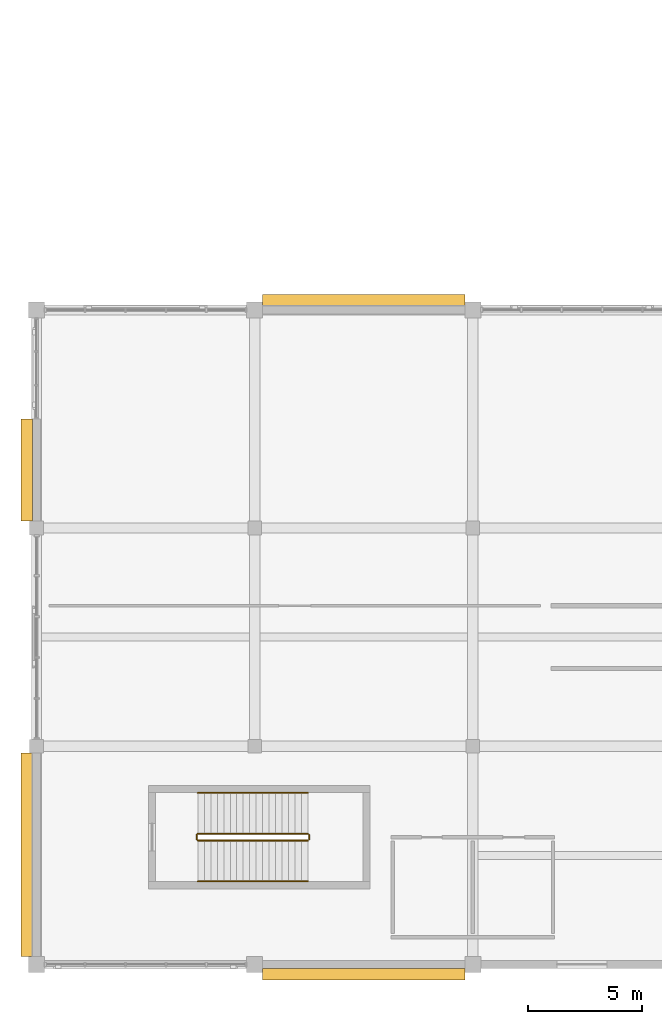
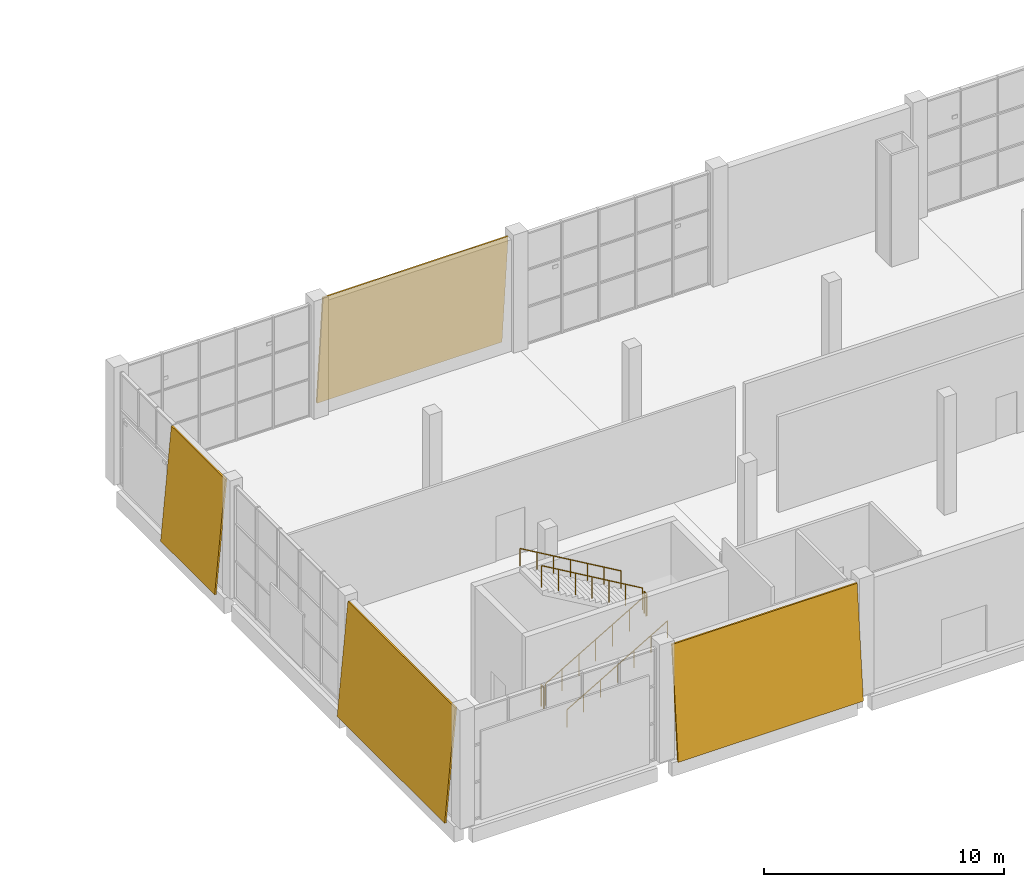
# One storey, part 69 of 84: 6 railings, 4 coverings.
"""IFC4 building model written with IfcOpenShell, lengths in metres."""

from ifc_helpers import new_model, si_unit, direction, frame, origin, origin_2d, place, context, subcontext, project, spatial, polyline, circle, outline, extrude, material, layer, layer_set, type_object, element, save


model = new_model("IFC4")

# Units and contexts
model_context = context("Model", 3, precision=1e-05, world=origin(), true_north=direction((0.0, 1.0)))
body_context = subcontext(model_context, "Body", "Model", "MODEL_VIEW")
ifc_project = project(units=[si_unit("LENGTHUNIT", "METRE"), si_unit("AREAUNIT", "SQUARE_METRE"), si_unit("VOLUMEUNIT", "CUBIC_METRE"), si_unit("PLANEANGLEUNIT", "RADIAN"), si_unit("MASSUNIT", "GRAM", prefix="KILO")], contexts=[model_context])

# Site, building, storey
site_placement = place(None, origin())
site = spatial("IfcSite", under=ifc_project, at=site_placement, CompositionType="ELEMENT")
building_placement = place(site_placement, origin())
building = spatial("IfcBuilding", under=site, at=building_placement, Name="Shalvenor Court Art Gallery", CompositionType="ELEMENT")
storey_placement = place(building_placement, origin())
storey = spatial("IfcBuildingStorey", under=building, at=storey_placement, Name="L00", CompositionType="ELEMENT", Elevation=0.0)

# Coverings
ifc_material_1 = material(Name="Honed Jerusalem limestone cladding", Category="masonry")
ifc_layer = layer(ifc_material_1, 0.06494140625, Name="Honed Jerusalem limestone cladding")
ifc_layer_set = layer_set([ifc_layer], Name="Honed Jerusalem limestone cladding")
covering_type = type_object("IfcCoveringType", Name="CLD-02", PredefinedType="CLADDING", material=ifc_layer_set)
for number, where, z_axis, x_axis, name in (
    (1, (18.85009765625, 29.48681640625, 0.0), (0.0, 0.0, 1.0), (-1.0, 0.0, 0.0), "L00 V4 Tapered Limestone Cladding 62"),
    (2, (9.949951171875, -0.68701171875, 0.0), (0.0, 0.0, 1.0), (1.0, 0.0, 0.0), "L00 V4 Tapered Limestone Cladding 68"),
):
    element("IfcCovering", number, at=place(storey_placement, frame(where, z_axis=z_axis, x_axis=x_axis)), inside=storey, type_object=covering_type, Name=name, PredefinedType="CLADDING", context=body_context, shape_type="SweptSolid", body=[
        extrude(outline(polyline([(0.0, 0.0), (8.900146484375, 0.0), (8.900146484375, 5.703369140625), (0.0, 5.703369140625), (0.0, 0.0)])), frame((0.0, 0.0, 0.0), z_axis=(0.0, -0.995884398616, 0.090632580198), x_axis=(1.0, 0.0, 0.0)), (0.0, 0.090632580198, -0.995884398616), 0.080322265625),
    ])
covering_1_placement = place(storey_placement, frame((-0.68701171875, 9.300048828125, 0.0), z_axis=(0.0, 0.0, 1.0), x_axis=(0.0, -1.0, 0.0)))
element("IfcCovering", 3, at=covering_1_placement, inside=storey, type_object=covering_type, Name="L00 V4 Tapered Limestone Cladding 69", PredefinedType="CLADDING", context=body_context, shape_type="SweptSolid", body=[
    extrude(outline(polyline([(0.0, 0.0), (8.949951171875, 0.0), (8.949951171875, 5.703369140625), (0.0, 5.703369140625), (0.0, 0.0)])), frame((0.0, 0.0, 0.0), z_axis=(0.0, -0.995884398616, 0.090632580198), x_axis=(1.0, 0.0, 0.0)), (0.0, 0.090632580198, -0.995884398616), 0.080322265625),
])
covering_2_placement = place(storey_placement, frame((-0.68701171875, 24.0, 0.0), z_axis=(0.0, 0.0, 1.0), x_axis=(0.0, -1.0, 0.0)))
element("IfcCovering", 4, at=covering_2_placement, inside=storey, type_object=covering_type, Name="L00 V4 Tapered Limestone Cladding 70", PredefinedType="CLADDING", context=body_context, shape_type="SweptSolid", body=[
    extrude(outline(polyline([(0.0, 0.0), (4.5, 0.0), (4.5, 5.703369140625), (0.0, 5.703369140625), (0.0, 0.0)])), frame((0.0, 0.0, 0.0), z_axis=(0.0, -0.995884398616, 0.090632580198), x_axis=(1.0, 0.0, 0.0)), (0.0, 0.090632580198, -0.995884398616), 0.080322265625),
])

# Railings
ifc_material_2 = material(Name="Painted steel post-and-rail guard", Category="steel")
railing_type_1 = type_object("IfcRailingType", Name="GR-02", PredefinedType="GUARDRAIL", material=ifc_material_2)
railing_1_placement = place(storey_placement, frame((7.10009765625, 5.449951171875, 0.166748046875)))
element("IfcRailing", 5, at=railing_1_placement, inside=storey, type_object=railing_type_1, Name="L00 ST-07 Stair Guard 1", PredefinedType="GUARDRAIL", context=body_context, shape_type="SweptSolid", body=[
    extrude(circle(Radius=0.02392578125, at=origin_2d()), frame((0.0, 0.0, 1.09619140625), z_axis=(0.863234098208, 0.0, 0.504803815052), x_axis=(0.0, 1.0, 0.0)), (0.0, 0.0, 1.0), 5.612548828125),
    extrude(circle(Radius=0.02099609375, at=origin_2d()), origin(), (0.0, 0.0, 1.0), 1.072021484375),
    extrude(circle(Radius=0.02099609375, at=origin_2d()), frame((0.8076171875, 0.0, 0.47216796875)), (0.0, 0.0, 1.0), 1.072021484375),
    extrude(circle(Radius=0.02099609375, at=origin_2d()), frame((1.614990234375, 0.0, 0.9443359375)), (0.0, 0.0, 1.0), 1.072021484375),
    extrude(circle(Radius=0.02099609375, at=origin_2d()), frame((2.42236328125, 0.0, 1.41650390625)), (0.0, 0.0, 1.0), 1.072021484375),
    extrude(circle(Radius=0.02099609375, at=origin_2d()), frame((3.22998046875, 0.0, 1.888916015625)), (0.0, 0.0, 1.0), 1.072021484375),
    extrude(circle(Radius=0.02099609375, at=origin_2d()), frame((4.03759765625, 0.0, 2.361083984375)), (0.0, 0.0, 1.0), 1.072021484375),
    extrude(circle(Radius=0.02099609375, at=origin_2d()), frame((4.844970703125, 0.0, 2.833251953125)), (0.0, 0.0, 1.0), 1.072021484375),
])
railing_2_placement = place(storey_placement, frame((11.9951171875, 5.5, 3.0)))
element("IfcRailing", 6, at=railing_2_placement, inside=storey, type_object=railing_type_1, Name="L00 ST-07 Stair Guard 2", PredefinedType="GUARDRAIL", context=body_context, shape_type="SweptSolid", body=[
    extrude(circle(Radius=0.02392578125, at=origin_2d()), frame((0.0, 0.0, 1.09619140625), z_axis=(0.0, 1.0, 0.0), x_axis=(-1.0, 0.0, 0.0)), (0.0, 0.0, 1.0), 0.199951171875),
    extrude(circle(Radius=0.02099609375, at=origin_2d()), origin(), (0.0, 0.0, 1.0), 1.072021484375),
    extrude(circle(Radius=0.02099609375, at=origin_2d()), frame((0.0, 0.199951171875, 0.0)), (0.0, 0.0, 1.0), 1.072021484375),
])
railing_3_placement = place(storey_placement, frame((11.945068359375, 5.75, 3.166748046875)))
element("IfcRailing", 7, at=railing_3_placement, inside=storey, type_object=railing_type_1, Name="L00 ST-07 Stair Guard 3", PredefinedType="GUARDRAIL", context=body_context, shape_type="SweptSolid", body=[
    extrude(circle(Radius=0.02392578125, at=origin_2d()), frame((0.0, 0.0, 1.09619140625), z_axis=(-0.863234098208, 0.0, 0.504803815052), x_axis=(0.0, -1.0, 0.0)), (0.0, 0.0, 1.0), 5.612548828125),
    extrude(circle(Radius=0.02099609375, at=origin_2d()), origin(), (0.0, 0.0, 1.0), 1.072021484375),
    extrude(circle(Radius=0.02099609375, at=origin_2d()), frame((-0.8076171875, 0.0, 0.47216796875)), (0.0, 0.0, 1.0), 1.072021484375),
    extrude(circle(Radius=0.02099609375, at=origin_2d()), frame((-1.614990234375, 0.0, 0.9443359375)), (0.0, 0.0, 1.0), 1.072021484375),
    extrude(circle(Radius=0.02099609375, at=origin_2d()), frame((-2.42236328125, 0.0, 1.41650390625)), (0.0, 0.0, 1.0), 1.072021484375),
    extrude(circle(Radius=0.02099609375, at=origin_2d()), frame((-3.22998046875, 0.0, 1.888916015625)), (0.0, 0.0, 1.0), 1.072021484375),
    extrude(circle(Radius=0.02099609375, at=origin_2d()), frame((-4.03759765625, 0.0, 2.361083984375)), (0.0, 0.0, 1.0), 1.072021484375),
    extrude(circle(Radius=0.02099609375, at=origin_2d()), frame((-4.844970703125, 0.0, 2.833251953125)), (0.0, 0.0, 1.0), 1.072021484375),
])
railing_4_placement = place(storey_placement, frame((7.050048828125, 5.5, 0.0)))
element("IfcRailing", 8, at=railing_4_placement, inside=storey, type_object=railing_type_1, Name="L00 ST-07 Stair Guard 4", PredefinedType="GUARDRAIL", context=body_context, shape_type="SweptSolid", body=[
    extrude(circle(Radius=0.02392578125, at=origin_2d()), frame((0.0, 0.0, 1.09619140625), z_axis=(0.0, 1.0, 0.0), x_axis=(-1.0, 0.0, 0.0)), (0.0, 0.0, 1.0), 0.199951171875),
    extrude(circle(Radius=0.02099609375, at=origin_2d()), origin(), (0.0, 0.0, 1.0), 1.072021484375),
    extrude(circle(Radius=0.02099609375, at=origin_2d()), frame((0.0, 0.199951171875, 0.0)), (0.0, 0.0, 1.0), 1.072021484375),
])
ifc_material_3 = material(Name="Brushed stainless steel handrail", Category="steel")
railing_type_2 = type_object("IfcRailingType", Name="HR-01", PredefinedType="HANDRAIL", material=ifc_material_3)
railing_5_placement = place(storey_placement, frame((7.10009765625, 3.64990234375, 0.166748046875)))
element("IfcRailing", 9, at=railing_5_placement, inside=storey, type_object=railing_type_2, Name="L00 ST-07 Stair Handrail 1", PredefinedType="HANDRAIL", context=body_context, shape_type="SweptSolid", body=[
    extrude(circle(Radius=0.02392578125, at=origin_2d()), frame((0.0, 0.0, 0.8759765625), z_axis=(0.863234098208, 0.0, 0.504803815052), x_axis=(0.0, 1.0, 0.0)), (0.0, 0.0, 1.0), 5.612548828125),
    extrude(circle(Radius=0.02099609375, at=origin_2d()), origin(), (0.0, 0.0, 1.0), 0.851806640625),
    extrude(circle(Radius=0.02099609375, at=origin_2d()), frame((0.8076171875, 0.0, 0.47216796875)), (0.0, 0.0, 1.0), 0.851806640625),
    extrude(circle(Radius=0.02099609375, at=origin_2d()), frame((1.614990234375, 0.0, 0.9443359375)), (0.0, 0.0, 1.0), 0.851806640625),
    extrude(circle(Radius=0.02099609375, at=origin_2d()), frame((2.42236328125, 0.0, 1.41650390625)), (0.0, 0.0, 1.0), 0.851806640625),
    extrude(circle(Radius=0.02099609375, at=origin_2d()), frame((3.22998046875, 0.0, 1.888916015625)), (0.0, 0.0, 1.0), 0.851806640625),
    extrude(circle(Radius=0.02099609375, at=origin_2d()), frame((4.03759765625, 0.0, 2.361083984375)), (0.0, 0.0, 1.0), 0.851806640625),
    extrude(circle(Radius=0.02099609375, at=origin_2d()), frame((4.844970703125, 0.0, 2.833251953125)), (0.0, 0.0, 1.0), 0.851806640625),
])
railing_6_placement = place(storey_placement, frame((11.945068359375, 7.550048828125, 3.166748046875)))
element("IfcRailing", 10, at=railing_6_placement, inside=storey, type_object=railing_type_2, Name="L00 ST-07 Stair Handrail 2", PredefinedType="HANDRAIL", context=body_context, shape_type="SweptSolid", body=[
    extrude(circle(Radius=0.02392578125, at=origin_2d()), frame((0.0, 0.0, 0.8759765625), z_axis=(-0.863234098208, 0.0, 0.504803815052), x_axis=(0.0, -1.0, 0.0)), (0.0, 0.0, 1.0), 5.612548828125),
    extrude(circle(Radius=0.02099609375, at=origin_2d()), origin(), (0.0, 0.0, 1.0), 0.851806640625),
    extrude(circle(Radius=0.02099609375, at=origin_2d()), frame((-0.8076171875, 0.0, 0.47216796875)), (0.0, 0.0, 1.0), 0.851806640625),
    extrude(circle(Radius=0.02099609375, at=origin_2d()), frame((-1.614990234375, 0.0, 0.9443359375)), (0.0, 0.0, 1.0), 0.851806640625),
    extrude(circle(Radius=0.02099609375, at=origin_2d()), frame((-2.42236328125, 0.0, 1.41650390625)), (0.0, 0.0, 1.0), 0.851806640625),
    extrude(circle(Radius=0.02099609375, at=origin_2d()), frame((-3.22998046875, 0.0, 1.888916015625)), (0.0, 0.0, 1.0), 0.851806640625),
    extrude(circle(Radius=0.02099609375, at=origin_2d()), frame((-4.03759765625, 0.0, 2.361083984375)), (0.0, 0.0, 1.0), 0.851806640625),
    extrude(circle(Radius=0.02099609375, at=origin_2d()), frame((-4.844970703125, 0.0, 2.833251953125)), (0.0, 0.0, 1.0), 0.851806640625),
])

save(model, "model.ifc")
